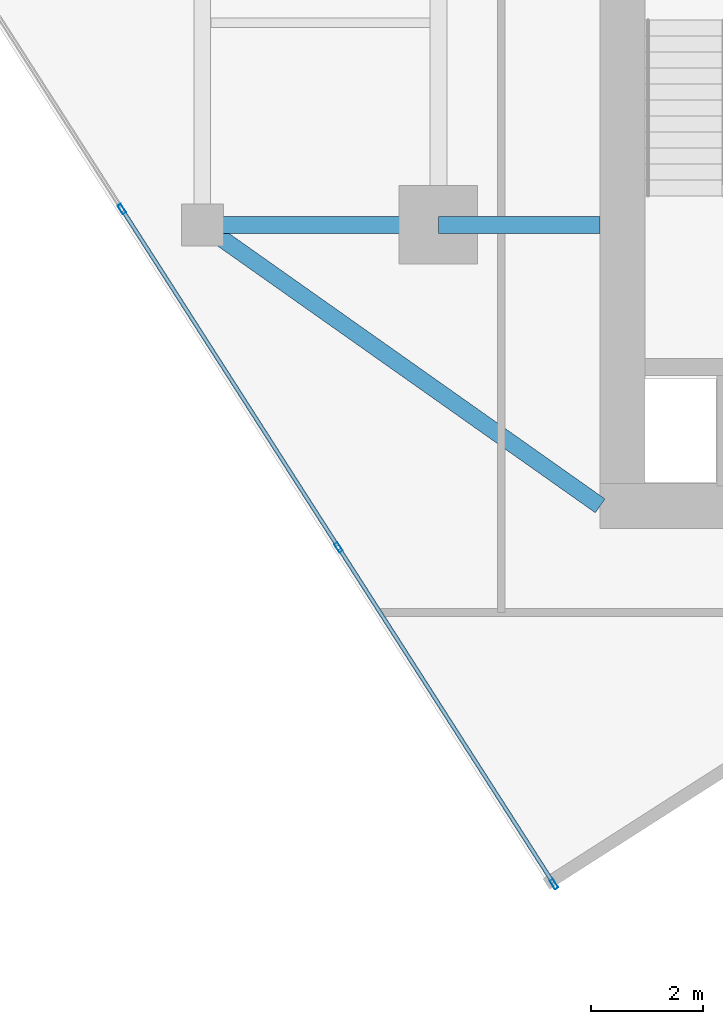
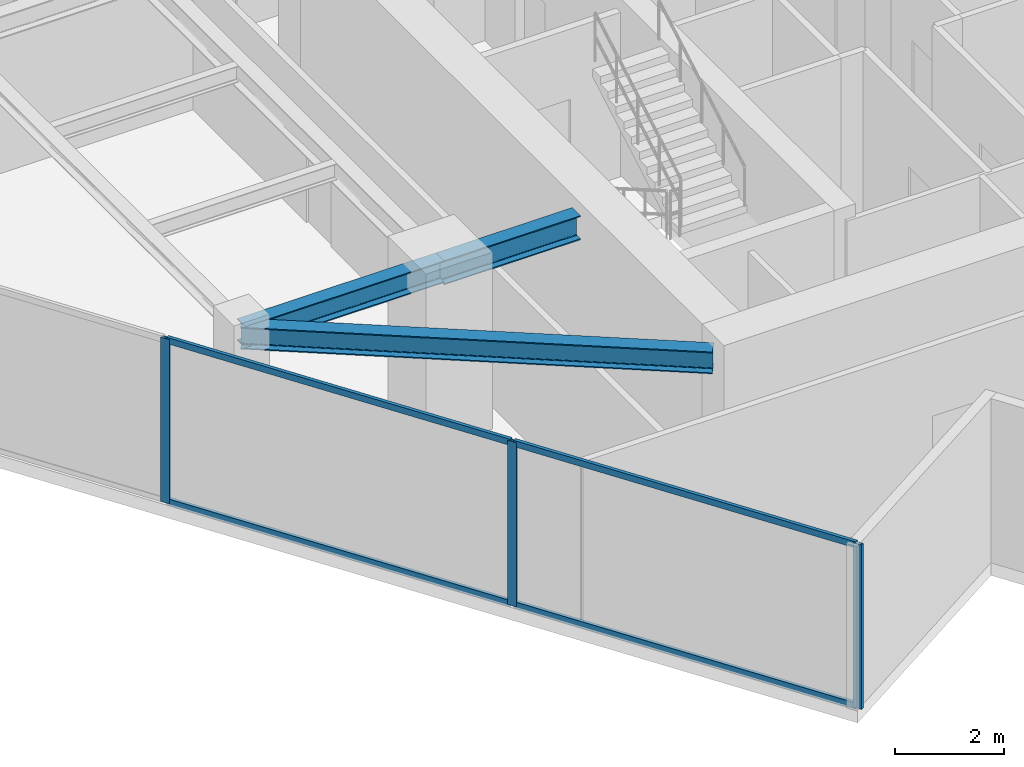
# One storey, part 2 of 20: 7 members, 3 beams, 1 element without a shape of its own.
"""IFC4 building model written with IfcOpenShell, lengths in metres."""

from ifc_helpers import new_model, si_unit, direction, frame, origin, origin_2d, place, context, subcontext, project, spatial, hollow_rectangle, i_section, extrude, source, transform, mapped, material, material_profile, profile_set, type_object, type_shapes, element, aggregate, save


model = new_model("IFC4")

# Units and contexts
model_context = context("Model", 3, precision=1e-05, world=origin(), true_north=direction((0.0, 1.0)))
body_context = subcontext(model_context, "Body", "Model", "MODEL_VIEW")
ifc_project = project(units=[si_unit("LENGTHUNIT", "METRE"), si_unit("AREAUNIT", "SQUARE_METRE"), si_unit("VOLUMEUNIT", "CUBIC_METRE"), si_unit("PLANEANGLEUNIT", "RADIAN"), si_unit("MASSUNIT", "GRAM", prefix="KILO")], contexts=[model_context])

# Site, building, storey
site_placement = place(None, origin())
site = spatial("IfcSite", under=ifc_project, at=site_placement, CompositionType="ELEMENT")
building_placement = place(site_placement, origin())
building = spatial("IfcBuilding", under=site, at=building_placement, Name="Krantzveldt Concourse Tower", CompositionType="ELEMENT")
storey_placement = place(building_placement, frame((0.0, 0.0, 291.10009765625)))
storey = spatial("IfcBuildingStorey", under=building, at=storey_placement, Name="L71", CompositionType="ELEMENT", Elevation=291.10009765625)

# Beams
ifc_material_1 = material(Name="Steel S355JR", Category="steel")
ifc_material_profile_1 = material_profile(ifc_material_1, i_section(OverallWidth=0.300048828125, OverallDepth=0.489990234375, WebThickness=0.011962890625, FlangeThickness=0.02294921875, FilletRadius=0.027099609375, at=origin_2d()), Name="Steel S355JR", Category="steel")
ifc_profile_set_1 = profile_set([ifc_material_profile_1], Name="Steel S355JR - HEA 500")
beam_type_1 = type_object("IfcBeamType", Name="BM-B-HEA500", PredefinedType="BEAM", material=ifc_profile_set_1)
shared_shape_1 = source(origin(), body_context, "Body", "SweptSolid", [
    extrude(i_section(OverallWidth=0.300048828125, OverallDepth=0.489990234375, WebThickness=0.011962890625, FlangeThickness=0.02294921875, FilletRadius=0.027099609375, at=origin_2d()), origin(), (0.0, 0.0, 1.0), 4.199951171875),
])
beam_1_placement = place(storey_placement, frame((21.0, 15.89990234375, 3.4248046875), z_axis=(1.0, 0.0, 0.0), x_axis=(0.0, 1.0, 0.0)))
element("IfcBeam", 1, at=beam_1_placement, inside=storey, type_object=beam_type_1, Name="L71 Tower Girder BR-RL1", PredefinedType="BEAM", context=body_context, shape_type="MappedRepresentation", body=[
    mapped(shared_shape_1, transform((0.0, 0.0, 0.0), x_axis=(1.0, 0.0, 0.0), y_axis=(0.0, 1.0, 0.0), z_axis=(0.0, 0.0, 1.0), scale=1.0)),
])
shared_shape_2 = source(origin(), body_context, "Body", "SweptSolid", [
    extrude(i_section(OverallWidth=0.300048828125, OverallDepth=0.489990234375, WebThickness=0.011962890625, FlangeThickness=0.02294921875, FilletRadius=0.027099609375, at=origin_2d()), origin(), (0.0, 0.0, 1.0), 8.667724609375),
])
type_shapes(beam_type_1, [shared_shape_1, shared_shape_2])
beam_2_placement = place(storey_placement, frame((21.0, 15.89990234375, 3.4248046875), z_axis=(0.81684294656, -0.576860122261, 0.0), x_axis=(0.576860122261, 0.81684294656, 0.0)))
element("IfcBeam", 2, at=beam_2_placement, inside=storey, type_object=beam_type_1, Name="L71 Tower Girder BR-CSW", PredefinedType="BEAM", context=body_context, shape_type="MappedRepresentation", body=[
    mapped(shared_shape_2, transform((0.0, 0.0, 0.0), x_axis=(1.0, 0.0, 0.0), y_axis=(0.0, 1.0, 0.0), z_axis=(0.0, 0.0, 1.0), scale=1.0)),
])
ifc_material_profile_2 = material_profile(ifc_material_1, i_section(OverallWidth=0.300048828125, OverallDepth=0.5400390625, WebThickness=0.012451171875, FlangeThickness=0.02392578125, FilletRadius=0.027099609375, at=origin_2d()), Name="Steel S355JR", Category="steel")
ifc_profile_set_2 = profile_set([ifc_material_profile_2], Name="Steel S355JR - HEA 550")
beam_type_2 = type_object("IfcBeamType", Name="BM-B-HEA550", PredefinedType="BEAM", material=ifc_profile_set_2)
shared_shape_3 = source(origin(), body_context, "Body", "SweptSolid", [
    extrude(i_section(OverallWidth=0.300048828125, OverallDepth=0.5400390625, WebThickness=0.012451171875, FlangeThickness=0.02392578125, FilletRadius=0.027099609375, at=origin_2d()), origin(), (0.0, 0.0, 1.0), 2.880126953125),
])
type_shapes(beam_type_2, [shared_shape_3])
beam_3_placement = place(storey_placement, frame((25.199951171875, 15.89990234375, 3.39990234375), z_axis=(1.0, 0.0, 0.0), x_axis=(0.0, 1.0, 0.0)))
element("IfcBeam", 3, at=beam_3_placement, inside=storey, type_object=beam_type_2, Name="L71 Tower Girder BG-CW1", PredefinedType="BEAM", context=body_context, shape_type="MappedRepresentation", body=[
    mapped(shared_shape_3, transform((0.0, 0.0, 0.0), x_axis=(1.0, 0.0, 0.0), y_axis=(0.0, 1.0, 0.0), z_axis=(0.0, 0.0, 1.0), scale=1.0)),
])

# Curtain wall, members
ifc_material_2 = material(Name="Anodised aluminium 6063-T6", Category="aluminium")
curtain_wall_type = type_object("IfcCurtainWallType", Name="CW4", PredefinedType="USERDEFINED", material=ifc_material_2)
curtain_wall_placement = place(storey_placement, origin())
curtain_wall = element("IfcCurtainWall", 4, at=curtain_wall_placement, inside=storey, type_object=curtain_wall_type, Name="CW-L71-F04", ObjectType="UNITISED CURTAIN WALL", PredefinedType="USERDEFINED")
ifc_material_profile_3 = material_profile(ifc_material_2, hollow_rectangle(XDim=0.070068359375, YDim=0.179931640625, WallThickness=0.0048828125, at=origin_2d()), Name="Anodised aluminium 6063-T6", Category="aluminium")
ifc_profile_set_3 = profile_set([ifc_material_profile_3], Name="Anodised aluminium 6063-T6 - ALU-MULL 180x70x5")
member_type_1 = type_object("IfcMemberType", Name="CW-MUL-180", PredefinedType="MULLION", material=ifc_profile_set_3)
shared_shape_4 = source(origin(), body_context, "Body", "SweptSolid", [
    extrude(hollow_rectangle(XDim=0.070068359375, YDim=0.179931640625, WallThickness=0.0048828125, at=origin_2d()), origin(), (0.0, 0.0, 1.0), 3.669921875),
])
type_shapes(member_type_1, [shared_shape_4])
member_1_placement = place(storey_placement, frame((19.568359375, 16.181396484375, 0.0), z_axis=(0.0, 0.0, 1.0), x_axis=(0.842217243088, 0.53913830827, 0.0)))
member_1 = element("IfcMember", 5, at=member_1_placement, type_object=member_type_1, Name="CW-Z56 mullion 3", PredefinedType="MULLION", context=body_context, shape_type="MappedRepresentation", body=[
    mapped(shared_shape_4, transform((0.0, 0.0, 0.0), x_axis=(1.0, 0.0, 0.0), y_axis=(0.0, 1.0, 0.0), z_axis=(0.0, 0.0, 1.0), scale=1.0)),
])
member_2_placement = place(storey_placement, frame((23.423095703125, 10.15966796875, 0.0), z_axis=(0.0, 0.0, 1.0), x_axis=(0.842217243088, 0.53913830827, 0.0)))
member_2 = element("IfcMember", 6, at=member_2_placement, type_object=member_type_1, Name="CW-Z56 mullion 4", PredefinedType="MULLION", context=body_context, shape_type="MappedRepresentation", body=[
    mapped(shared_shape_4, transform((0.0, 0.0, 0.0), x_axis=(1.0, 0.0, 0.0), y_axis=(0.0, 1.0, 0.0), z_axis=(0.0, 0.0, 1.0), scale=1.0)),
])
member_3_placement = place(storey_placement, frame((27.259033203125, 4.167236328125, 0.0), z_axis=(0.0, 0.0, 1.0), x_axis=(0.842217243088, 0.53913830827, 0.0)))
member_3 = element("IfcMember", 7, at=member_3_placement, type_object=member_type_1, Name="CW-Z56 mullion 5", PredefinedType="MULLION", context=body_context, shape_type="MappedRepresentation", body=[
    mapped(shared_shape_4, transform((0.0, 0.0, 0.0), x_axis=(1.0, 0.0, 0.0), y_axis=(0.0, 1.0, 0.0), z_axis=(0.0, 0.0, 1.0), scale=1.0)),
])
ifc_material_profile_4 = material_profile(ifc_material_2, hollow_rectangle(XDim=0.070068359375, YDim=0.139892578125, WallThickness=0.0048828125, at=origin_2d()), Name="Anodised aluminium 6063-T6", Category="aluminium")
ifc_profile_set_4 = profile_set([ifc_material_profile_4], Name="Anodised aluminium 6063-T6 - ALU-TRAN 140x70x5")
member_type_2 = type_object("IfcMemberType", Name="CW-TRN-150", PredefinedType="USERDEFINED", material=ifc_profile_set_4)
shared_shape_5 = source(origin(), body_context, "Body", "SweptSolid", [
    extrude(hollow_rectangle(XDim=0.070068359375, YDim=0.139892578125, WallThickness=0.0048828125, at=origin_2d()), origin(), (0.0, 0.0, 1.0), 7.080078125),
])
member_4_placement = place(storey_placement, frame((19.587158203125, 16.15185546875, 0.034912109375), z_axis=(0.539142738786, -0.842214406915, 0.0), x_axis=(0.842214406915, 0.539142738786, 0.0)))
member_4 = element("IfcMember", 8, at=member_4_placement, type_object=member_type_2, Name="CW-Z56 transom 3.1", ObjectType="TRANSOM", PredefinedType="USERDEFINED", context=body_context, shape_type="MappedRepresentation", body=[
    mapped(shared_shape_5, transform((0.0, 0.0, 0.0), x_axis=(1.0, 0.0, 0.0), y_axis=(0.0, 1.0, 0.0), z_axis=(0.0, 0.0, 1.0), scale=1.0)),
])
member_5_placement = place(storey_placement, frame((19.587158203125, 16.15185546875, 3.635009765625), z_axis=(0.539142738786, -0.842214406915, 0.0), x_axis=(0.842214406915, 0.539142738786, 0.0)))
member_5 = element("IfcMember", 9, at=member_5_placement, type_object=member_type_2, Name="CW-Z56 transom 3.2", ObjectType="TRANSOM", PredefinedType="USERDEFINED", context=body_context, shape_type="MappedRepresentation", body=[
    mapped(shared_shape_5, transform((0.0, 0.0, 0.0), x_axis=(1.0, 0.0, 0.0), y_axis=(0.0, 1.0, 0.0), z_axis=(0.0, 0.0, 1.0), scale=1.0)),
])
shared_shape_6 = source(origin(), body_context, "Body", "SweptSolid", [
    extrude(hollow_rectangle(XDim=0.070068359375, YDim=0.139892578125, WallThickness=0.0048828125, at=origin_2d()), origin(), (0.0, 0.0, 1.0), 7.045166015625),
])
type_shapes(member_type_2, [shared_shape_5, shared_shape_6])
member_6_placement = place(storey_placement, frame((23.442138671875, 10.130126953125, 0.034912109375), z_axis=(0.539113680854, -0.842233007615, 0.0), x_axis=(0.842233007615, 0.539113680854, 0.0)))
member_6 = element("IfcMember", 10, at=member_6_placement, type_object=member_type_2, Name="CW-Z56 transom 4.1", ObjectType="TRANSOM", PredefinedType="USERDEFINED", context=body_context, shape_type="MappedRepresentation", body=[
    mapped(shared_shape_6, transform((0.0, 0.0, 0.0), x_axis=(1.0, 0.0, 0.0), y_axis=(0.0, 1.0, 0.0), z_axis=(0.0, 0.0, 1.0), scale=1.0)),
])
member_7_placement = place(storey_placement, frame((23.442138671875, 10.130126953125, 3.635009765625), z_axis=(0.539113680854, -0.842233007615, 0.0), x_axis=(0.842233007615, 0.539113680854, 0.0)))
member_7 = element("IfcMember", 11, at=member_7_placement, type_object=member_type_2, Name="CW-Z56 transom 4.2", ObjectType="TRANSOM", PredefinedType="USERDEFINED", context=body_context, shape_type="MappedRepresentation", body=[
    mapped(shared_shape_6, transform((0.0, 0.0, 0.0), x_axis=(1.0, 0.0, 0.0), y_axis=(0.0, 1.0, 0.0), z_axis=(0.0, 0.0, 1.0), scale=1.0)),
])
aggregate(curtain_wall, [member_1, member_2, member_3, member_4, member_5, member_6, member_7])

save(model, "model.ifc")
